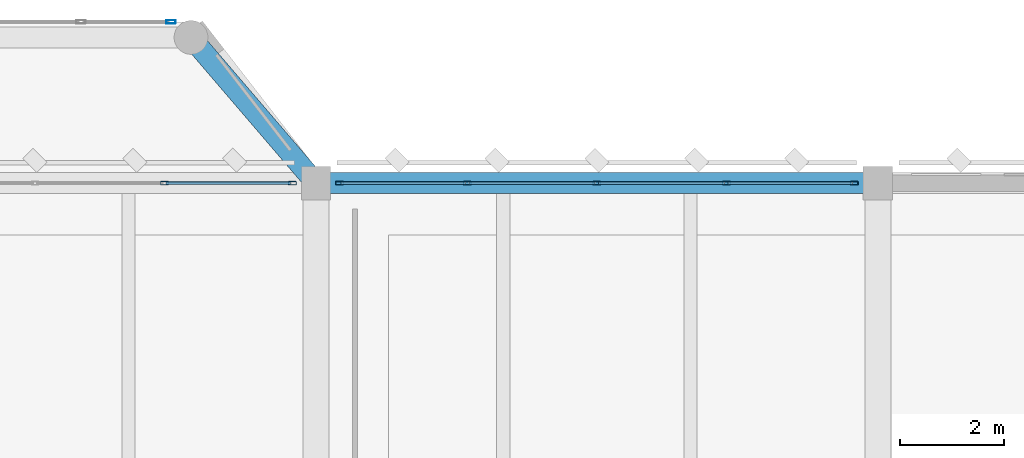
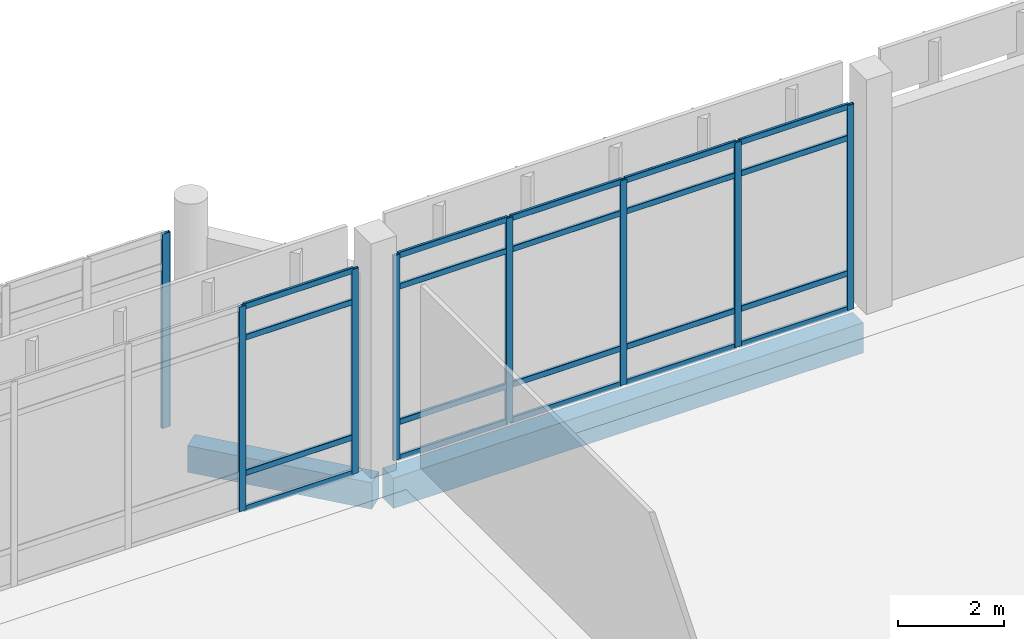
# One storey, part 76 of 180: 28 members, 2 beams, 3 elements without a shape of their own.
"""IFC4 building model written with IfcOpenShell, lengths in metres."""

from ifc_helpers import new_model, si_unit, direction, frame, origin, origin_2d, place, context, subcontext, project, spatial, rectangle, hollow_rectangle, extrude, material, material_profile, profile_set, type_object, element, aggregate, save


model = new_model("IFC4")

# Units and contexts
model_context = context("Model", 3, precision=1e-05, world=origin(), true_north=direction((0.0, 1.0)))
body_context = subcontext(model_context, "Body", "Model", "MODEL_VIEW")
ifc_project = project(units=[si_unit("LENGTHUNIT", "METRE"), si_unit("AREAUNIT", "SQUARE_METRE"), si_unit("VOLUMEUNIT", "CUBIC_METRE"), si_unit("PLANEANGLEUNIT", "RADIAN"), si_unit("MASSUNIT", "GRAM", prefix="KILO")], contexts=[model_context])

# Site, building, storey
site_placement = place(None, origin())
site = spatial("IfcSite", under=ifc_project, at=site_placement, CompositionType="ELEMENT")
building_placement = place(site_placement, origin())
building = spatial("IfcBuilding", under=site, at=building_placement, Name="Lusvemor Sports Hall", CompositionType="ELEMENT")
storey_placement = place(building_placement, frame((0.0, 0.0, 5.39990234375)))
storey = spatial("IfcBuildingStorey", under=building, at=storey_placement, Name="L01", CompositionType="ELEMENT", Elevation=5.39990234375)

# Curtain wall, member
ifc_material_1 = material(Name="Thermally broken bronze-anodized aluminium", Category="aluminium")
curtain_wall_type_1 = type_object("IfcCurtainWallType", Name="CW_FOYER_A", PredefinedType="NOTDEFINED", material=ifc_material_1)
curtain_wall_1_placement = place(storey_placement, origin())
curtain_wall_1 = element("IfcCurtainWall", 1, at=curtain_wall_1_placement, inside=storey, type_object=curtain_wall_type_1, Name="Curtain Wall CW-BOW-N1-L01-M", PredefinedType="NOTDEFINED")
ifc_material_2 = material(Name="Thermally broken bronze-anodized aluminium", Category="aluminium")
ifc_material_profile_1 = material_profile(ifc_material_2, hollow_rectangle(XDim=0.070068359375, YDim=0.179931640625, WallThickness=0.0048828125, InnerFilletRadius=0.0048828125, OuterFilletRadius=0.010009765625, at=origin_2d()), Name="CWMUL180x70x5")
ifc_profile_set_1 = profile_set([ifc_material_profile_1], Name="Thermally broken bronze-anodized aluminium")
member_type_1 = type_object("IfcMemberType", Name="CW_MUL_A", PredefinedType="MULLION", material=ifc_profile_set_1)
member_1_placement = place(storey_placement, frame((29.614990234375, 118.300048828125, 0.0), z_axis=(0.0, 0.0, 1.0), x_axis=(0.0, 1.0, 0.0)))
member_1 = element("IfcMember", 2, at=member_1_placement, type_object=member_type_1, Name="CW01 mullion 4", PredefinedType="MULLION", context=body_context, shape_type="SweptSolid", body=[
    extrude(hollow_rectangle(XDim=0.070068359375, YDim=0.179931640625, WallThickness=0.0048828125, InnerFilletRadius=0.0048828125, OuterFilletRadius=0.010009765625, at=origin_2d()), origin(), (0.0, 0.0, 1.0), 4.47998046875),
])
aggregate(curtain_wall_1, [member_1])

# Curtain wall, members
ifc_material_3 = material(Name="Thermally broken bronze-anodized aluminium", Category="aluminium")
curtain_wall_type_2 = type_object("IfcCurtainWallType", Name="CW_WING_B", PredefinedType="NOTDEFINED", material=ifc_material_3)
curtain_wall_2_placement = place(storey_placement, origin())
curtain_wall_2 = element("IfcCurtainWall", 3, at=curtain_wall_2_placement, inside=storey, type_object=curtain_wall_type_2, Name="Curtain Wall CW-L01-N-1-2", PredefinedType="NOTDEFINED")
ifc_material_4 = material(Name="Thermally broken bronze-anodized aluminium", Category="aluminium")
ifc_material_profile_2 = material_profile(ifc_material_4, hollow_rectangle(XDim=0.06494140625, YDim=0.14990234375, WallThickness=0.00390625, InnerFilletRadius=0.00390625, OuterFilletRadius=0.008056640625, at=origin_2d()), Name="CWMUL150x65x4")
ifc_profile_set_2 = profile_set([ifc_material_profile_2], Name="Thermally broken bronze-anodized aluminium")
member_type_2 = type_object("IfcMemberType", Name="CW_MUL_B", PredefinedType="MULLION", material=ifc_profile_set_2)
member_2_placement = place(storey_placement, frame((29.489990234375, 115.199951171875, 0.0), z_axis=(0.0, 0.0, 1.0), x_axis=(0.0, 1.0, 0.0)))
member_2 = element("IfcMember", 4, at=member_2_placement, type_object=member_type_2, Name="CW02 mullion 4", PredefinedType="MULLION", context=body_context, shape_type="SweptSolid", body=[
    extrude(hollow_rectangle(XDim=0.06494140625, YDim=0.14990234375, WallThickness=0.00390625, InnerFilletRadius=0.00390625, OuterFilletRadius=0.008056640625, at=origin_2d()), origin(), (0.0, 0.0, 1.0), 4.72021484375),
])
member_3_placement = place(storey_placement, frame((31.947509765625, 115.199951171875, 0.0), z_axis=(0.0, 0.0, 1.0), x_axis=(0.0, 1.0, 0.0)))
member_3 = element("IfcMember", 5, at=member_3_placement, type_object=member_type_2, Name="CW02 mullion 5", PredefinedType="MULLION", context=body_context, shape_type="SweptSolid", body=[
    extrude(hollow_rectangle(XDim=0.06494140625, YDim=0.14990234375, WallThickness=0.00390625, InnerFilletRadius=0.00390625, OuterFilletRadius=0.008056640625, at=origin_2d()), origin(), (0.0, 0.0, 1.0), 4.72021484375),
])

curtain_wall_3_placement = place(storey_placement, origin())
curtain_wall_3 = element("IfcCurtainWall", 6, at=curtain_wall_3_placement, inside=storey, type_object=curtain_wall_type_2, Name="Curtain Wall CW-L01-N-1-3", PredefinedType="NOTDEFINED")
member_4_placement = place(storey_placement, frame((32.8525390625, 115.199951171875, 0.0), z_axis=(0.0, 0.0, 1.0), x_axis=(0.0, 1.0, 0.0)))
member_4 = element("IfcMember", 7, at=member_4_placement, type_object=member_type_2, Name="CW02 mullion 1", PredefinedType="MULLION", context=body_context, shape_type="SweptSolid", body=[
    extrude(hollow_rectangle(XDim=0.06494140625, YDim=0.14990234375, WallThickness=0.00390625, InnerFilletRadius=0.00390625, OuterFilletRadius=0.008056640625, at=origin_2d()), origin(), (0.0, 0.0, 1.0), 4.72021484375),
])
member_5_placement = place(storey_placement, frame((35.31005859375, 115.199951171875, 0.0), z_axis=(0.0, 0.0, 1.0), x_axis=(0.0, 1.0, 0.0)))
member_5 = element("IfcMember", 8, at=member_5_placement, type_object=member_type_2, Name="CW02 mullion 2", PredefinedType="MULLION", context=body_context, shape_type="SweptSolid", body=[
    extrude(hollow_rectangle(XDim=0.06494140625, YDim=0.14990234375, WallThickness=0.00390625, InnerFilletRadius=0.00390625, OuterFilletRadius=0.008056640625, at=origin_2d()), origin(), (0.0, 0.0, 1.0), 4.72021484375),
])
member_6_placement = place(storey_placement, frame((37.800048828125, 115.199951171875, 0.0), z_axis=(0.0, 0.0, 1.0), x_axis=(0.0, 1.0, 0.0)))
member_6 = element("IfcMember", 9, at=member_6_placement, type_object=member_type_2, Name="CW02 mullion 3", PredefinedType="MULLION", context=body_context, shape_type="SweptSolid", body=[
    extrude(hollow_rectangle(XDim=0.06494140625, YDim=0.14990234375, WallThickness=0.00390625, InnerFilletRadius=0.00390625, OuterFilletRadius=0.008056640625, at=origin_2d()), origin(), (0.0, 0.0, 1.0), 4.72021484375),
])
member_7_placement = place(storey_placement, frame((40.2900390625, 115.199951171875, 0.0), z_axis=(0.0, 0.0, 1.0), x_axis=(0.0, 1.0, 0.0)))
member_7 = element("IfcMember", 10, at=member_7_placement, type_object=member_type_2, Name="CW02 mullion 4", PredefinedType="MULLION", context=body_context, shape_type="SweptSolid", body=[
    extrude(hollow_rectangle(XDim=0.06494140625, YDim=0.14990234375, WallThickness=0.00390625, InnerFilletRadius=0.00390625, OuterFilletRadius=0.008056640625, at=origin_2d()), origin(), (0.0, 0.0, 1.0), 4.72021484375),
])
member_8_placement = place(storey_placement, frame((42.74755859375, 115.199951171875, 0.0), z_axis=(0.0, 0.0, 1.0), x_axis=(0.0, 1.0, 0.0)))
member_8 = element("IfcMember", 11, at=member_8_placement, type_object=member_type_2, Name="CW02 mullion 5", PredefinedType="MULLION", context=body_context, shape_type="SweptSolid", body=[
    extrude(hollow_rectangle(XDim=0.06494140625, YDim=0.14990234375, WallThickness=0.00390625, InnerFilletRadius=0.00390625, OuterFilletRadius=0.008056640625, at=origin_2d()), origin(), (0.0, 0.0, 1.0), 4.72021484375),
])

# Member
ifc_material_5 = material(Name="Thermally broken bronze-anodized aluminium", Category="aluminium")
ifc_material_profile_3 = material_profile(ifc_material_5, hollow_rectangle(XDim=0.06005859375, YDim=0.135009765625, WallThickness=0.00390625, InnerFilletRadius=0.00390625, OuterFilletRadius=0.008056640625, at=origin_2d()), Name="CWTRN135x60x4")
ifc_profile_set_3 = profile_set([ifc_material_profile_3], Name="Thermally broken bronze-anodized aluminium")
member_type_3 = type_object("IfcMemberType", Name="CW_TRN_B", PredefinedType="USERDEFINED", material=ifc_profile_set_3)
member_9_placement = place(storey_placement, frame((29.5224609375, 115.199951171875, 0.030029296875), z_axis=(1.0, 0.0, 0.0), x_axis=(0.0, 1.0, 0.0)))
member_9 = element("IfcMember", 12, at=member_9_placement, type_object=member_type_3, Name="CW02 transom 4.1", ObjectType="TRANSOM", PredefinedType="USERDEFINED", context=body_context, shape_type="SweptSolid", body=[
    extrude(hollow_rectangle(XDim=0.06005859375, YDim=0.135009765625, WallThickness=0.00390625, InnerFilletRadius=0.00390625, OuterFilletRadius=0.008056640625, at=origin_2d()), origin(), (0.0, 0.0, 1.0), 2.392578125),
])

member_10_placement = place(storey_placement, frame((29.5224609375, 115.199951171875, 0.85009765625), z_axis=(1.0, 0.0, 0.0), x_axis=(0.0, 1.0, 0.0)))
member_10 = element("IfcMember", 13, at=member_10_placement, type_object=member_type_3, Name="CW02 transom 4.2", ObjectType="TRANSOM", PredefinedType="USERDEFINED", context=body_context, shape_type="SweptSolid", body=[
    extrude(hollow_rectangle(XDim=0.06005859375, YDim=0.135009765625, WallThickness=0.00390625, InnerFilletRadius=0.00390625, OuterFilletRadius=0.008056640625, at=origin_2d()), origin(), (0.0, 0.0, 1.0), 2.392578125),
])

member_11_placement = place(storey_placement, frame((29.5224609375, 115.199951171875, 3.97021484375), z_axis=(1.0, 0.0, 0.0), x_axis=(0.0, 1.0, 0.0)))
member_11 = element("IfcMember", 14, at=member_11_placement, type_object=member_type_3, Name="CW02 transom 4.3", ObjectType="TRANSOM", PredefinedType="USERDEFINED", context=body_context, shape_type="SweptSolid", body=[
    extrude(hollow_rectangle(XDim=0.06005859375, YDim=0.135009765625, WallThickness=0.00390625, InnerFilletRadius=0.00390625, OuterFilletRadius=0.008056640625, at=origin_2d()), origin(), (0.0, 0.0, 1.0), 2.392578125),
])

member_12_placement = place(storey_placement, frame((29.5224609375, 115.199951171875, 4.690185546875), z_axis=(1.0, 0.0, 0.0), x_axis=(0.0, 1.0, 0.0)))
member_12 = element("IfcMember", 15, at=member_12_placement, type_object=member_type_3, Name="CW02 transom 4.4", ObjectType="TRANSOM", PredefinedType="USERDEFINED", context=body_context, shape_type="SweptSolid", body=[
    extrude(hollow_rectangle(XDim=0.06005859375, YDim=0.135009765625, WallThickness=0.00390625, InnerFilletRadius=0.00390625, OuterFilletRadius=0.008056640625, at=origin_2d()), origin(), (0.0, 0.0, 1.0), 2.392578125),
])

aggregate(curtain_wall_2, [member_2, member_3, member_9, member_10, member_11, member_12])

member_13_placement = place(storey_placement, frame((32.885009765625, 115.199951171875, 0.030029296875), z_axis=(1.0, 0.0, 0.0), x_axis=(0.0, 1.0, 0.0)))
member_13 = element("IfcMember", 16, at=member_13_placement, type_object=member_type_3, Name="CW02 transom 1.1", ObjectType="TRANSOM", PredefinedType="USERDEFINED", context=body_context, shape_type="SweptSolid", body=[
    extrude(hollow_rectangle(XDim=0.06005859375, YDim=0.135009765625, WallThickness=0.00390625, InnerFilletRadius=0.00390625, OuterFilletRadius=0.008056640625, at=origin_2d()), origin(), (0.0, 0.0, 1.0), 2.392578125),
])

member_14_placement = place(storey_placement, frame((32.885009765625, 115.199951171875, 0.85009765625), z_axis=(1.0, 0.0, 0.0), x_axis=(0.0, 1.0, 0.0)))
member_14 = element("IfcMember", 17, at=member_14_placement, type_object=member_type_3, Name="CW02 transom 1.2", ObjectType="TRANSOM", PredefinedType="USERDEFINED", context=body_context, shape_type="SweptSolid", body=[
    extrude(hollow_rectangle(XDim=0.06005859375, YDim=0.135009765625, WallThickness=0.00390625, InnerFilletRadius=0.00390625, OuterFilletRadius=0.008056640625, at=origin_2d()), origin(), (0.0, 0.0, 1.0), 2.392578125),
])

member_15_placement = place(storey_placement, frame((32.885009765625, 115.199951171875, 3.97021484375), z_axis=(1.0, 0.0, 0.0), x_axis=(0.0, 1.0, 0.0)))
member_15 = element("IfcMember", 18, at=member_15_placement, type_object=member_type_3, Name="CW02 transom 1.3", ObjectType="TRANSOM", PredefinedType="USERDEFINED", context=body_context, shape_type="SweptSolid", body=[
    extrude(hollow_rectangle(XDim=0.06005859375, YDim=0.135009765625, WallThickness=0.00390625, InnerFilletRadius=0.00390625, OuterFilletRadius=0.008056640625, at=origin_2d()), origin(), (0.0, 0.0, 1.0), 2.392578125),
])

member_16_placement = place(storey_placement, frame((32.885009765625, 115.199951171875, 4.690185546875), z_axis=(1.0, 0.0, 0.0), x_axis=(0.0, 1.0, 0.0)))
member_16 = element("IfcMember", 19, at=member_16_placement, type_object=member_type_3, Name="CW02 transom 1.4", ObjectType="TRANSOM", PredefinedType="USERDEFINED", context=body_context, shape_type="SweptSolid", body=[
    extrude(hollow_rectangle(XDim=0.06005859375, YDim=0.135009765625, WallThickness=0.00390625, InnerFilletRadius=0.00390625, OuterFilletRadius=0.008056640625, at=origin_2d()), origin(), (0.0, 0.0, 1.0), 2.392578125),
])

member_17_placement = place(storey_placement, frame((35.342529296875, 115.199951171875, 0.030029296875), z_axis=(1.0, 0.0, 0.0), x_axis=(0.0, 1.0, 0.0)))
member_17 = element("IfcMember", 20, at=member_17_placement, type_object=member_type_3, Name="CW02 transom 2.1", ObjectType="TRANSOM", PredefinedType="USERDEFINED", context=body_context, shape_type="SweptSolid", body=[
    extrude(hollow_rectangle(XDim=0.06005859375, YDim=0.135009765625, WallThickness=0.00390625, InnerFilletRadius=0.00390625, OuterFilletRadius=0.008056640625, at=origin_2d()), origin(), (0.0, 0.0, 1.0), 2.425048828125),
])

member_18_placement = place(storey_placement, frame((35.342529296875, 115.199951171875, 0.85009765625), z_axis=(1.0, 0.0, 0.0), x_axis=(0.0, 1.0, 0.0)))
member_18 = element("IfcMember", 21, at=member_18_placement, type_object=member_type_3, Name="CW02 transom 2.2", ObjectType="TRANSOM", PredefinedType="USERDEFINED", context=body_context, shape_type="SweptSolid", body=[
    extrude(hollow_rectangle(XDim=0.06005859375, YDim=0.135009765625, WallThickness=0.00390625, InnerFilletRadius=0.00390625, OuterFilletRadius=0.008056640625, at=origin_2d()), origin(), (0.0, 0.0, 1.0), 2.425048828125),
])

member_19_placement = place(storey_placement, frame((35.342529296875, 115.199951171875, 3.97021484375), z_axis=(1.0, 0.0, 0.0), x_axis=(0.0, 1.0, 0.0)))
member_19 = element("IfcMember", 22, at=member_19_placement, type_object=member_type_3, Name="CW02 transom 2.3", ObjectType="TRANSOM", PredefinedType="USERDEFINED", context=body_context, shape_type="SweptSolid", body=[
    extrude(hollow_rectangle(XDim=0.06005859375, YDim=0.135009765625, WallThickness=0.00390625, InnerFilletRadius=0.00390625, OuterFilletRadius=0.008056640625, at=origin_2d()), origin(), (0.0, 0.0, 1.0), 2.425048828125),
])

member_20_placement = place(storey_placement, frame((35.342529296875, 115.199951171875, 4.690185546875), z_axis=(1.0, 0.0, 0.0), x_axis=(0.0, 1.0, 0.0)))
member_20 = element("IfcMember", 23, at=member_20_placement, type_object=member_type_3, Name="CW02 transom 2.4", ObjectType="TRANSOM", PredefinedType="USERDEFINED", context=body_context, shape_type="SweptSolid", body=[
    extrude(hollow_rectangle(XDim=0.06005859375, YDim=0.135009765625, WallThickness=0.00390625, InnerFilletRadius=0.00390625, OuterFilletRadius=0.008056640625, at=origin_2d()), origin(), (0.0, 0.0, 1.0), 2.425048828125),
])

member_21_placement = place(storey_placement, frame((37.83251953125, 115.199951171875, 0.030029296875), z_axis=(1.0, 0.0, 0.0), x_axis=(0.0, 1.0, 0.0)))
member_21 = element("IfcMember", 24, at=member_21_placement, type_object=member_type_3, Name="CW02 transom 3.1", ObjectType="TRANSOM", PredefinedType="USERDEFINED", context=body_context, shape_type="SweptSolid", body=[
    extrude(hollow_rectangle(XDim=0.06005859375, YDim=0.135009765625, WallThickness=0.00390625, InnerFilletRadius=0.00390625, OuterFilletRadius=0.008056640625, at=origin_2d()), origin(), (0.0, 0.0, 1.0), 2.425048828125),
])

member_22_placement = place(storey_placement, frame((37.83251953125, 115.199951171875, 0.85009765625), z_axis=(1.0, 0.0, 0.0), x_axis=(0.0, 1.0, 0.0)))
member_22 = element("IfcMember", 25, at=member_22_placement, type_object=member_type_3, Name="CW02 transom 3.2", ObjectType="TRANSOM", PredefinedType="USERDEFINED", context=body_context, shape_type="SweptSolid", body=[
    extrude(hollow_rectangle(XDim=0.06005859375, YDim=0.135009765625, WallThickness=0.00390625, InnerFilletRadius=0.00390625, OuterFilletRadius=0.008056640625, at=origin_2d()), origin(), (0.0, 0.0, 1.0), 2.425048828125),
])

member_23_placement = place(storey_placement, frame((37.83251953125, 115.199951171875, 3.97021484375), z_axis=(1.0, 0.0, 0.0), x_axis=(0.0, 1.0, 0.0)))
member_23 = element("IfcMember", 26, at=member_23_placement, type_object=member_type_3, Name="CW02 transom 3.3", ObjectType="TRANSOM", PredefinedType="USERDEFINED", context=body_context, shape_type="SweptSolid", body=[
    extrude(hollow_rectangle(XDim=0.06005859375, YDim=0.135009765625, WallThickness=0.00390625, InnerFilletRadius=0.00390625, OuterFilletRadius=0.008056640625, at=origin_2d()), origin(), (0.0, 0.0, 1.0), 2.425048828125),
])

member_24_placement = place(storey_placement, frame((37.83251953125, 115.199951171875, 4.690185546875), z_axis=(1.0, 0.0, 0.0), x_axis=(0.0, 1.0, 0.0)))
member_24 = element("IfcMember", 27, at=member_24_placement, type_object=member_type_3, Name="CW02 transom 3.4", ObjectType="TRANSOM", PredefinedType="USERDEFINED", context=body_context, shape_type="SweptSolid", body=[
    extrude(hollow_rectangle(XDim=0.06005859375, YDim=0.135009765625, WallThickness=0.00390625, InnerFilletRadius=0.00390625, OuterFilletRadius=0.008056640625, at=origin_2d()), origin(), (0.0, 0.0, 1.0), 2.425048828125),
])

member_25_placement = place(storey_placement, frame((40.322509765625, 115.199951171875, 0.030029296875), z_axis=(1.0, 0.0, 0.0), x_axis=(0.0, 1.0, 0.0)))
member_25 = element("IfcMember", 28, at=member_25_placement, type_object=member_type_3, Name="CW02 transom 4.1", ObjectType="TRANSOM", PredefinedType="USERDEFINED", context=body_context, shape_type="SweptSolid", body=[
    extrude(hollow_rectangle(XDim=0.06005859375, YDim=0.135009765625, WallThickness=0.00390625, InnerFilletRadius=0.00390625, OuterFilletRadius=0.008056640625, at=origin_2d()), origin(), (0.0, 0.0, 1.0), 2.392578125),
])

member_26_placement = place(storey_placement, frame((40.322509765625, 115.199951171875, 0.85009765625), z_axis=(1.0, 0.0, 0.0), x_axis=(0.0, 1.0, 0.0)))
member_26 = element("IfcMember", 29, at=member_26_placement, type_object=member_type_3, Name="CW02 transom 4.2", ObjectType="TRANSOM", PredefinedType="USERDEFINED", context=body_context, shape_type="SweptSolid", body=[
    extrude(hollow_rectangle(XDim=0.06005859375, YDim=0.135009765625, WallThickness=0.00390625, InnerFilletRadius=0.00390625, OuterFilletRadius=0.008056640625, at=origin_2d()), origin(), (0.0, 0.0, 1.0), 2.392578125),
])

member_27_placement = place(storey_placement, frame((40.322509765625, 115.199951171875, 3.97021484375), z_axis=(1.0, 0.0, 0.0), x_axis=(0.0, 1.0, 0.0)))
member_27 = element("IfcMember", 30, at=member_27_placement, type_object=member_type_3, Name="CW02 transom 4.3", ObjectType="TRANSOM", PredefinedType="USERDEFINED", context=body_context, shape_type="SweptSolid", body=[
    extrude(hollow_rectangle(XDim=0.06005859375, YDim=0.135009765625, WallThickness=0.00390625, InnerFilletRadius=0.00390625, OuterFilletRadius=0.008056640625, at=origin_2d()), origin(), (0.0, 0.0, 1.0), 2.392578125),
])

member_28_placement = place(storey_placement, frame((40.322509765625, 115.199951171875, 4.690185546875), z_axis=(1.0, 0.0, 0.0), x_axis=(0.0, 1.0, 0.0)))
member_28 = element("IfcMember", 31, at=member_28_placement, type_object=member_type_3, Name="CW02 transom 4.4", ObjectType="TRANSOM", PredefinedType="USERDEFINED", context=body_context, shape_type="SweptSolid", body=[
    extrude(hollow_rectangle(XDim=0.06005859375, YDim=0.135009765625, WallThickness=0.00390625, InnerFilletRadius=0.00390625, OuterFilletRadius=0.008056640625, at=origin_2d()), origin(), (0.0, 0.0, 1.0), 2.392578125),
])

aggregate(curtain_wall_3, [member_4, member_5, member_6, member_7, member_8, member_13, member_14, member_15, member_16, member_17, member_18, member_19, member_20, member_21, member_22, member_23, member_24, member_25, member_26, member_27, member_28])

# Beams
ifc_material_6 = material(Name="Concrete C40/50", Category="concrete")
ifc_material_profile_4 = material_profile(ifc_material_6, rectangle(XDim=0.39990234375, YDim=0.610107421875, at=origin_2d()), Name="RC400x610")
ifc_profile_set_4 = profile_set([ifc_material_profile_4], Name="Concrete C40/50")
beam_type_1 = type_object("IfcBeamType", Name="SPAND_EXT_650", PredefinedType="SPANDREL", material=ifc_profile_set_4)
beam_1_placement = place(storey_placement, frame((30.0, 118.0, -0.56494140625), z_axis=(0.650769565339, -0.759275294494, 0.0), x_axis=(0.759275294494, 0.650769565339, 0.0)))
element("IfcBeam", 32, at=beam_1_placement, inside=storey, type_object=beam_type_1, Name="Bow Pavilion Edge Beam BOW-N1 L01-3", PredefinedType="SPANDREL", context=body_context, shape_type="SweptSolid", body=[
    extrude(rectangle(XDim=0.39990234375, YDim=0.610107421875, at=origin_2d()), origin(), (0.0, 0.0, 1.0), 3.687744140625),
])
ifc_material_7 = material(Name="Concrete C40/50", Category="concrete")
ifc_material_profile_5 = material_profile(ifc_material_7, rectangle(XDim=0.39990234375, YDim=0.699951171875, at=origin_2d()), Name="RC400x700")
ifc_profile_set_5 = profile_set([ifc_material_profile_5], Name="Concrete C40/50")
beam_type_2 = type_object("IfcBeamType", Name="SPAND_EXT_700", PredefinedType="SPANDREL", material=ifc_profile_set_5)
beam_2_placement = place(storey_placement, frame((32.676025390625, 115.199951171875, -0.60986328125), z_axis=(1.0, 0.0, 0.0), x_axis=(0.0, 1.0, 0.0)))
element("IfcBeam", 33, at=beam_2_placement, inside=storey, type_object=beam_type_2, Name="Beam L01 Q:4-5", PredefinedType="SPANDREL", context=body_context, shape_type="SweptSolid", body=[
    extrude(rectangle(XDim=0.39990234375, YDim=0.699951171875, at=origin_2d()), origin(), (0.0, 0.0, 1.0), 10.248046875),
])

save(model, "model.ifc")
